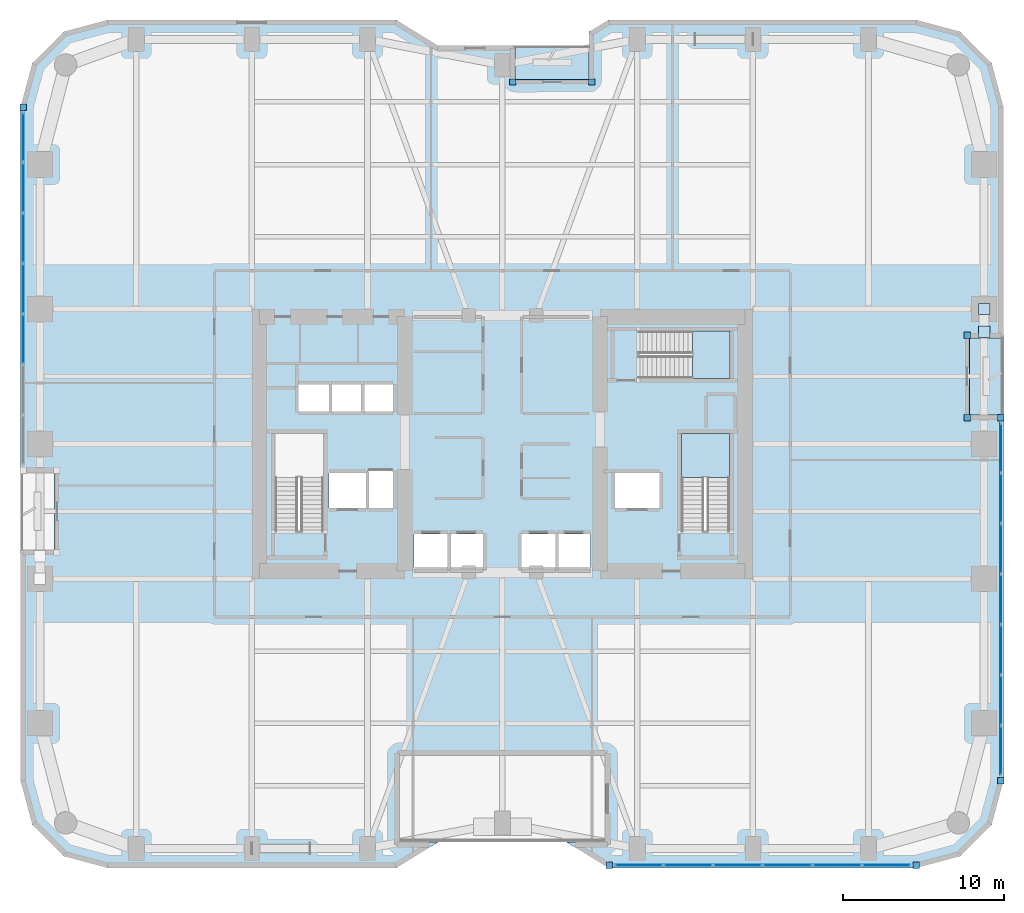
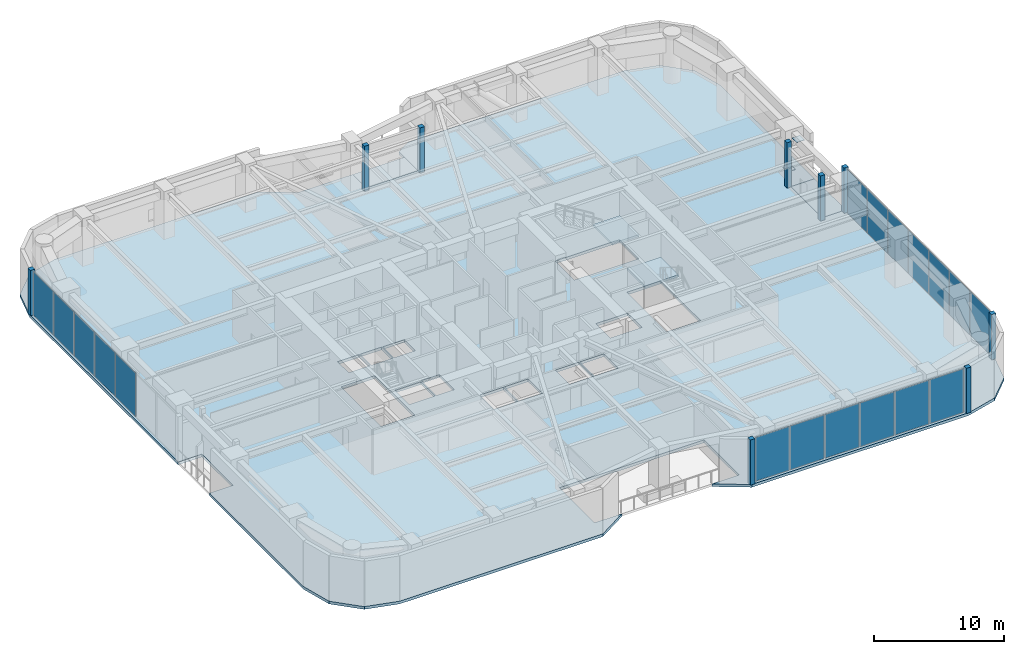
# One storey, part 15 of 25: 29 plates, 5 slabs, 5 elements without a shape of their own.
"""IFC4 building model written with IfcOpenShell, lengths in metres."""

from ifc_helpers import new_model, si_unit, direction, frame, origin, origin_2d, place, context, subcontext, project, spatial, polyline, rectangle, outline, extrude, material, layer, layer_set, type_object, element, aggregate, save


model = new_model("IFC4")

# Units and contexts
model_context = context("Model", 3, precision=1e-05, world=origin(), true_north=direction((0.0, 1.0)))
body_context = subcontext(model_context, "Body", "Model", "MODEL_VIEW")
ifc_project = project(units=[si_unit("LENGTHUNIT", "METRE"), si_unit("AREAUNIT", "SQUARE_METRE"), si_unit("VOLUMEUNIT", "CUBIC_METRE"), si_unit("PLANEANGLEUNIT", "RADIAN"), si_unit("MASSUNIT", "GRAM", prefix="KILO")], contexts=[model_context])

# Site, building, storey
site_placement = place(None, origin())
site = spatial("IfcSite", under=ifc_project, at=site_placement, CompositionType="ELEMENT")
building_placement = place(site_placement, origin())
building = spatial("IfcBuilding", under=site, at=building_placement, Name="Kiyonajd Concourse Tower", CompositionType="ELEMENT")
storey_placement = place(building_placement, frame((0.0, 0.0, 68.39990234375)))
storey = spatial("IfcBuildingStorey", under=building, at=storey_placement, Name="L18", CompositionType="ELEMENT", Elevation=68.39990234375)

# Plates
ifc_material_1 = material(Name="Steel ASTM A572 Grade 50", Category="steel")
ifc_layer_1 = layer(ifc_material_1, 0.028076171875)
ifc_layer_set_1 = layer_set([ifc_layer_1], Name="Steel ASTM A572 Grade 50")
plate_type_1 = type_object("IfcPlateType", Name="PL-CAP-450", PredefinedType="USERDEFINED", material=ifc_layer_set_1)
for number, where, z_axis, x_axis, name in (
    (1, (78.0, 44.404052734375, 0.27587890625), (0.0, 0.0, 1.0), (1.0, 0.0, 0.0), "L18 Hollow Brace End Cap Plate PBE"),
    (2, (78.0, 42.99609375, 3.88623046875), (0.0, 0.0, 1.0), (1.0, 0.0, 0.0), "L18 Hollow Brace Top Cap Plate PBE"),
):
    element("IfcPlate", number, at=place(storey_placement, frame(where, z_axis=z_axis, x_axis=x_axis)), inside=storey, type_object=plate_type_1, Name=name, ObjectType="CAP PLATE", PredefinedType="USERDEFINED", context=body_context, shape_type="SweptSolid", body=[
        extrude(rectangle(XDim=0.7099609375, YDim=0.7099609375, at=origin_2d()), origin(), (0.0, 0.0, 1.0), 0.028076171875),
    ])

# Curtain wall, plates
ifc_material_2 = material(Name="Thermally Broken Anodised Aluminium", Category="aluminium")
ifc_layer_2 = layer(ifc_material_2, 0.179931640625)
ifc_layer_set_2 = layer_set([ifc_layer_2], Name="Thermally Broken Anodised Aluminium")
curtain_wall_type = type_object("IfcCurtainWallType", Name="CW-SYS-05", PredefinedType="NOTDEFINED", material=ifc_layer_set_2)
curtain_wall_1_placement = place(storey_placement, origin())
curtain_wall_1 = element("IfcCurtainWall", 3, at=curtain_wall_1_placement, inside=storey, type_object=curtain_wall_type, Name="L18 Unitised Curtain Wall CW5", PredefinedType="NOTDEFINED")
ifc_material_3 = material(Name="Double Low-E Insulated Glass", Category="glass")
ifc_layer_3 = layer(ifc_material_3, 0.0400390625)
ifc_layer_set_3 = layer_set([ifc_layer_3], Name="Double Low-E Insulated Glass")
plate_type_2 = type_object("IfcPlateType", Name="PL-CW-VIS40", PredefinedType="CURTAIN_PANEL", material=ifc_layer_set_3)
plate_1_placement = place(storey_placement, frame((79.0400390625, 35.757080078125, 0.0751953125), z_axis=(0.0, 0.0, 1.0), x_axis=(0.0, -1.0, 0.0)))
plate_1 = element("IfcPlate", 4, at=plate_1_placement, type_object=plate_type_2, Name="CW5 panel 1.1", PredefinedType="CURTAIN_PANEL", context=body_context, shape_type="SweptSolid", body=[
    extrude(rectangle(XDim=3.035888671875, YDim=0.0400390625, at=origin_2d()), origin(), (0.0, 0.0, 1.0), 4.090087890625),
])
plate_2_placement = place(storey_placement, frame((79.0400390625, 32.62744140625, 0.0751953125), z_axis=(0.0, 0.0, 1.0), x_axis=(0.0, -1.0, 0.0)))
plate_2 = element("IfcPlate", 5, at=plate_2_placement, type_object=plate_type_2, Name="CW5 panel 2.1", PredefinedType="CURTAIN_PANEL", context=body_context, shape_type="SweptSolid", body=[
    extrude(rectangle(XDim=3.073486328125, YDim=0.0400390625, at=origin_2d()), origin(), (0.0, 0.0, 1.0), 4.090087890625),
])
plate_3_placement = place(storey_placement, frame((79.0400390625, 29.47900390625, 0.0751953125), z_axis=(0.0, 0.0, 1.0), x_axis=(0.0, -1.0, 0.0)))
plate_3 = element("IfcPlate", 6, at=plate_3_placement, type_object=plate_type_2, Name="CW5 panel 3.1", PredefinedType="CURTAIN_PANEL", context=body_context, shape_type="SweptSolid", body=[
    extrude(rectangle(XDim=3.073486328125, YDim=0.0400390625, at=origin_2d()), origin(), (0.0, 0.0, 1.0), 4.090087890625),
])
plate_4_placement = place(storey_placement, frame((79.0400390625, 26.33056640625, 0.0751953125), z_axis=(0.0, 0.0, 1.0), x_axis=(0.0, -1.0, 0.0)))
plate_4 = element("IfcPlate", 7, at=plate_4_placement, type_object=plate_type_2, Name="CW5 panel 4.1", PredefinedType="CURTAIN_PANEL", context=body_context, shape_type="SweptSolid", body=[
    extrude(rectangle(XDim=3.073486328125, YDim=0.0400390625, at=origin_2d()), origin(), (0.0, 0.0, 1.0), 4.090087890625),
])
plate_5_placement = place(storey_placement, frame((79.0400390625, 23.18212890625, 0.0751953125), z_axis=(0.0, 0.0, 1.0), x_axis=(0.0, -1.0, 0.0)))
plate_5 = element("IfcPlate", 8, at=plate_5_placement, type_object=plate_type_2, Name="CW5 panel 5.1", PredefinedType="CURTAIN_PANEL", context=body_context, shape_type="SweptSolid", body=[
    extrude(rectangle(XDim=3.073486328125, YDim=0.0400390625, at=origin_2d()), origin(), (0.0, 0.0, 1.0), 4.090087890625),
])
plate_6_placement = place(storey_placement, frame((79.0400390625, 20.03369140625, 0.0751953125), z_axis=(0.0, 0.0, 1.0), x_axis=(0.0, -1.0, 0.0)))
plate_6 = element("IfcPlate", 9, at=plate_6_placement, type_object=plate_type_2, Name="CW5 panel 6.1", PredefinedType="CURTAIN_PANEL", context=body_context, shape_type="SweptSolid", body=[
    extrude(rectangle(XDim=3.073486328125, YDim=0.0400390625, at=origin_2d()), origin(), (0.0, 0.0, 1.0), 4.090087890625),
])
plate_7_placement = place(storey_placement, frame((79.0400390625, 16.904052734375, 0.0751953125), z_axis=(0.0, 0.0, 1.0), x_axis=(0.0, -1.0, 0.0)))
plate_7 = element("IfcPlate", 10, at=plate_7_placement, type_object=plate_type_2, Name="CW5 panel 7.1", PredefinedType="CURTAIN_PANEL", context=body_context, shape_type="SweptSolid", body=[
    extrude(rectangle(XDim=3.035888671875, YDim=0.0400390625, at=origin_2d()), origin(), (0.0, 0.0, 1.0), 4.090087890625),
])
aggregate(curtain_wall_1, [plate_1, plate_2, plate_3, plate_4, plate_5, plate_6, plate_7])

curtain_wall_2_placement = place(storey_placement, origin())
curtain_wall_2 = element("IfcCurtainWall", 11, at=curtain_wall_2_placement, inside=storey, type_object=curtain_wall_type, Name="L18 Unitised Curtain Wall CW5", PredefinedType="NOTDEFINED")
plate_8_placement = place(storey_placement, frame((71.924072265625, 9.760009765625, 0.0751953125), z_axis=(0.0, 0.0, 1.0), x_axis=(-1.0, 0.0, 0.0)))
plate_8 = element("IfcPlate", 12, at=plate_8_placement, type_object=plate_type_2, Name="CW5 panel 1.1", PredefinedType="CURTAIN_PANEL", context=body_context, shape_type="SweptSolid", body=[
    extrude(rectangle(XDim=2.979736328125, YDim=0.0400390625, at=origin_2d()), origin(), (0.0, 0.0, 1.0), 4.090087890625),
])
plate_9_placement = place(storey_placement, frame((68.8505859375, 9.760009765625, 0.0751953125), z_axis=(0.0, 0.0, 1.0), x_axis=(-1.0, 0.0, 0.0)))
plate_9 = element("IfcPlate", 13, at=plate_9_placement, type_object=plate_type_2, Name="CW5 panel 2.1", PredefinedType="CURTAIN_PANEL", context=body_context, shape_type="SweptSolid", body=[
    extrude(rectangle(XDim=3.017333984375, YDim=0.0400390625, at=origin_2d()), origin(), (0.0, 0.0, 1.0), 4.090087890625),
])
plate_10_placement = place(storey_placement, frame((65.75830078125, 9.760009765625, 0.0751953125), z_axis=(0.0, 0.0, 1.0), x_axis=(-1.0, 0.0, 0.0)))
plate_10 = element("IfcPlate", 14, at=plate_10_placement, type_object=plate_type_2, Name="CW5 panel 3.1", PredefinedType="CURTAIN_PANEL", context=body_context, shape_type="SweptSolid", body=[
    extrude(rectangle(XDim=3.017333984375, YDim=0.0400390625, at=origin_2d()), origin(), (0.0, 0.0, 1.0), 4.090087890625),
])
plate_11_placement = place(storey_placement, frame((62.666015625, 9.760009765625, 0.0751953125), z_axis=(0.0, 0.0, 1.0), x_axis=(-1.0, 0.0, 0.0)))
plate_11 = element("IfcPlate", 15, at=plate_11_placement, type_object=plate_type_2, Name="CW5 panel 4.1", PredefinedType="CURTAIN_PANEL", context=body_context, shape_type="SweptSolid", body=[
    extrude(rectangle(XDim=3.017333984375, YDim=0.0400390625, at=origin_2d()), origin(), (0.0, 0.0, 1.0), 4.090087890625),
])
plate_12_placement = place(storey_placement, frame((59.57373046875, 9.760009765625, 0.0751953125), z_axis=(0.0, 0.0, 1.0), x_axis=(-1.0, 0.0, 0.0)))
plate_12 = element("IfcPlate", 16, at=plate_12_placement, type_object=plate_type_2, Name="CW5 panel 5.1", PredefinedType="CURTAIN_PANEL", context=body_context, shape_type="SweptSolid", body=[
    extrude(rectangle(XDim=3.017333984375, YDim=0.0400390625, at=origin_2d()), origin(), (0.0, 0.0, 1.0), 4.090087890625),
])
plate_13_placement = place(storey_placement, frame((56.500244140625, 9.760009765625, 0.0751953125), z_axis=(0.0, 0.0, 1.0), x_axis=(-1.0, 0.0, 0.0)))
plate_13 = element("IfcPlate", 17, at=plate_13_placement, type_object=plate_type_2, Name="CW5 panel 6.1", PredefinedType="CURTAIN_PANEL", context=body_context, shape_type="SweptSolid", body=[
    extrude(rectangle(XDim=2.979736328125, YDim=0.0400390625, at=origin_2d()), origin(), (0.0, 0.0, 1.0), 4.090087890625),
])
aggregate(curtain_wall_2, [plate_8, plate_9, plate_10, plate_11, plate_12, plate_13])

curtain_wall_3_placement = place(storey_placement, origin())
curtain_wall_3 = element("IfcCurtainWall", 18, at=curtain_wall_3_placement, inside=storey, type_object=curtain_wall_type, Name="L18 Unitised Curtain Wall CW5", PredefinedType="NOTDEFINED")
plate_14_placement = place(storey_placement, frame((18.159912109375, 42.52099609375, 0.0751953125), z_axis=(0.0, 0.0, 1.0), x_axis=(0.0, 1.0, 0.0)))
plate_14 = element("IfcPlate", 19, at=plate_14_placement, type_object=plate_type_2, Name="CW5 panel 3.1", PredefinedType="CURTAIN_PANEL", context=body_context, shape_type="SweptSolid", body=[
    extrude(rectangle(XDim=3.073486328125, YDim=0.0400390625, at=origin_2d()), origin(), (0.0, 0.0, 1.0), 4.090087890625),
])
plate_15_placement = place(storey_placement, frame((18.159912109375, 45.66943359375, 0.0751953125), z_axis=(0.0, 0.0, 1.0), x_axis=(0.0, 1.0, 0.0)))
plate_15 = element("IfcPlate", 20, at=plate_15_placement, type_object=plate_type_2, Name="CW5 panel 4.1", PredefinedType="CURTAIN_PANEL", context=body_context, shape_type="SweptSolid", body=[
    extrude(rectangle(XDim=3.073486328125, YDim=0.0400390625, at=origin_2d()), origin(), (0.0, 0.0, 1.0), 4.090087890625),
])
plate_16_placement = place(storey_placement, frame((18.159912109375, 48.81787109375, 0.0751953125), z_axis=(0.0, 0.0, 1.0), x_axis=(0.0, 1.0, 0.0)))
plate_16 = element("IfcPlate", 21, at=plate_16_placement, type_object=plate_type_2, Name="CW5 panel 5.1", PredefinedType="CURTAIN_PANEL", context=body_context, shape_type="SweptSolid", body=[
    extrude(rectangle(XDim=3.073486328125, YDim=0.0400390625, at=origin_2d()), origin(), (0.0, 0.0, 1.0), 4.090087890625),
])
plate_17_placement = place(storey_placement, frame((18.159912109375, 51.96630859375, 0.0751953125), z_axis=(0.0, 0.0, 1.0), x_axis=(0.0, 1.0, 0.0)))
plate_17 = element("IfcPlate", 22, at=plate_17_placement, type_object=plate_type_2, Name="CW5 panel 6.1", PredefinedType="CURTAIN_PANEL", context=body_context, shape_type="SweptSolid", body=[
    extrude(rectangle(XDim=3.073486328125, YDim=0.0400390625, at=origin_2d()), origin(), (0.0, 0.0, 1.0), 4.090087890625),
])
plate_18_placement = place(storey_placement, frame((18.159912109375, 55.095947265625, 0.0751953125), z_axis=(0.0, 0.0, 1.0), x_axis=(0.0, 1.0, 0.0)))
plate_18 = element("IfcPlate", 23, at=plate_18_placement, type_object=plate_type_2, Name="CW5 panel 7.1", PredefinedType="CURTAIN_PANEL", context=body_context, shape_type="SweptSolid", body=[
    extrude(rectangle(XDim=3.035888671875, YDim=0.0400390625, at=origin_2d()), origin(), (0.0, 0.0, 1.0), 4.090087890625),
])
aggregate(curtain_wall_3, [plate_14, plate_15, plate_16, plate_17, plate_18])

# Plates
ifc_layer_4 = layer(ifc_material_2, 0.39990234375)
ifc_layer_set_4 = layer_set([ifc_layer_4], Name="Thermally Broken Anodised Aluminium")
plate_type_3 = type_object("IfcPlateType", Name="PL-JMB-400", PredefinedType="USERDEFINED", material=ifc_layer_set_4)
for number, where, z_axis, x_axis, name in (
    (24, (76.93994140625, 42.760009765625, 0.0), (0.0, 0.0, 1.0), (1.0, 0.0, 0.0), "L18 Facade Jamb Closure Plate 01"),
    (25, (76.93994140625, 37.639892578125, 0.0), (0.0, 0.0, 1.0), (1.0, 0.0, 0.0), "L18 Facade Jamb Closure Plate 02"),
    (26, (79.0400390625, 37.639892578125, 0.0), (0.0, 0.0, 1.0), (1.0, 0.0, 0.0), "L18 Facade Jamb Closure Plate 03"),
    (27, (79.0400390625, 15.02099609375, 0.0), (0.0, 0.0, 1.0), (1.0, 0.0, 0.0), "L18 Facade Jamb Closure Plate 04"),
    (28, (73.77880859375, 9.760009765625, 0.0), (0.0, 0.0, 1.0), (1.0, 0.0, 0.0), "L18 Facade Jamb Closure Plate 05"),
    (29, (54.645263671875, 9.760009765625, 0.0), (0.0, 0.0, 1.0), (1.0, 0.0, 0.0), "L18 Facade Jamb Closure Plate 06"),
    (30, (18.159912109375, 56.97900390625, 0.0), (0.0, 0.0, 1.0), (1.0, 0.0, 0.0), "L18 Facade Jamb Closure Plate 10"),
    (31, (48.639892578125, 58.5400390625, 0.0), (0.0, 0.0, 1.0), (1.0, 0.0, 0.0), "L18 Facade Jamb Closure Plate 11"),
    (32, (53.56005859375, 58.5400390625, 0.0), (0.0, 0.0, 1.0), (1.0, 0.0, 0.0), "L18 Facade Jamb Closure Plate 12"),
):
    element("IfcPlate", number, at=place(storey_placement, frame(where, z_axis=z_axis, x_axis=x_axis)), inside=storey, type_object=plate_type_3, Name=name, ObjectType="JAMB PLATE", PredefinedType="USERDEFINED", context=body_context, shape_type="SweptSolid", body=[
        extrude(rectangle(XDim=0.39990234375, YDim=0.39990234375, at=origin_2d()), origin(), (0.0, 0.0, 1.0), 4.239990234375),
    ])

# Stair, slab
ifc_material_4 = material(Name="Concrete C40/50", Category="concrete")
stair_type = type_object("IfcStairType", Name="ST-DLG-26R", PredefinedType="HALF_TURN_STAIR", material=ifc_material_4)
stair_1_placement = place(storey_placement, origin())
stair_1 = element("IfcStair", 33, at=stair_1_placement, inside=storey, type_object=stair_type, Name="L18 Protected Exit Stair ST2", PredefinedType="HALF_TURN_STAIR")
ifc_layer_5 = layer(ifc_material_4, 0.199951171875)
ifc_layer_set_5 = layer_set([ifc_layer_5], Name="Concrete C40/50")
slab_type_1 = type_object("IfcSlabType", Name="SL-LND-200", PredefinedType="LANDING", material=ifc_layer_set_5)
slab_1_placement = place(storey_placement, frame((0.0, 0.0, 2.050048828125)))
slab_1 = element("IfcSlab", 34, at=slab_1_placement, type_object=slab_type_1, Name="ST2 landing 1", PredefinedType="LANDING", context=body_context, shape_type="SweptSolid", body=[
    extrude(outline(polyline([(62.14990234375, 33.909912109375), (62.14990234375, 36.64990234375), (59.14990234375, 36.64990234375), (59.14990234375, 33.909912109375), (62.14990234375, 33.909912109375)])), origin(), (0.0, 0.0, 1.0), 0.199951171875),
])
aggregate(stair_1, [slab_1])

stair_2_placement = place(storey_placement, origin())
stair_2 = element("IfcStair", 35, at=stair_2_placement, inside=storey, type_object=stair_type, Name="L18 Protected Exit Stair ST3", PredefinedType="HALF_TURN_STAIR")
slab_2_placement = place(storey_placement, frame((0.0, 0.0, 2.050048828125)))
slab_2 = element("IfcSlab", 36, at=slab_2_placement, type_object=slab_type_1, Name="ST3 landing 1", PredefinedType="LANDING", context=body_context, shape_type="SweptSolid", body=[
    extrude(outline(polyline([(59.840087890625, 40.080078125), (62.179931640625, 40.080078125), (62.179931640625, 43.02001953125), (59.840087890625, 43.02001953125), (59.840087890625, 40.080078125)])), origin(), (0.0, 0.0, 1.0), 0.199951171875),
])
aggregate(stair_2, [slab_2])

# Slabs
ifc_material_5 = material(Name="Precast concrete C50/60", Category="concrete")
ifc_layer_6 = layer(ifc_material_5, 0.199951171875)
ifc_layer_set_6 = layer_set([ifc_layer_6], Name="Precast concrete C50/60")
slab_type_2 = type_object("IfcSlabType", Name="SL-LOG-200", PredefinedType="FLOOR", material=ifc_layer_set_6)
slab_3_placement = place(storey_placement, frame((0.0, 0.0, -0.199951171875)))
element("IfcSlab", 37, at=slab_3_placement, inside=storey, type_object=slab_type_2, Name="L18 Recessed Engawa Loggia Terrace Slab LOG-N", PredefinedType="FLOOR", context=body_context, shape_type="SweptSolid", body=[
    extrude(outline(polyline([(48.800048828125, 58.699951171875), (53.39990234375, 58.699951171875), (53.39990234375, 60.800048828125), (48.800048828125, 60.800048828125), (48.800048828125, 58.699951171875)])), origin(), (0.0, 0.0, 1.0), 0.199951171875),
])
slab_4_placement = place(storey_placement, frame((0.0, 0.0, -0.199951171875)))
element("IfcSlab", 38, at=slab_4_placement, inside=storey, type_object=slab_type_2, Name="L18 Recessed Engawa Loggia Terrace Slab LOG-E", PredefinedType="FLOOR", context=body_context, shape_type="SweptSolid", body=[
    extrude(outline(polyline([(77.10009765625, 37.800048828125), (79.199951171875, 37.800048828125), (79.199951171875, 42.60009765625), (77.10009765625, 42.60009765625), (77.10009765625, 37.800048828125)])), origin(), (0.0, 0.0, 1.0), 0.199951171875),
])
ifc_layer_7 = layer(ifc_material_4, 0.260009765625)
ifc_layer_set_7 = layer_set([ifc_layer_7], Name="Concrete C40/50")
slab_type_3 = type_object("IfcSlabType", Name="SL-TWR-260", PredefinedType="FLOOR", material=ifc_layer_set_7)
slab_5_placement = place(storey_placement, frame((0.0, 0.0, -0.260009765625)))
element("IfcSlab", 39, at=slab_5_placement, inside=storey, type_object=slab_type_3, Name="L18 Tower Conditioned Floor Slab", PredefinedType="FLOOR", context=body_context, shape_type="SweptSolid", body=[
    extrude(outline(polyline([(78.47705078125, 59.699951171875), (79.199951171875, 57.0), (79.199951171875, 42.60009765625), (77.10009765625, 42.60009765625), (77.10009765625, 37.800048828125), (79.199951171875, 37.800048828125), (79.199951171875, 15.0), (78.47705078125, 12.300048828125), (76.5, 10.322998046875), (73.800048828125, 9.60009765625), (54.60009765625, 9.60009765625), (52.0, 11.199951171875), (54.39990234375, 11.199951171875), (54.39990234375, 16.60009765625), (41.60009765625, 16.60009765625), (41.60009765625, 11.199951171875), (44.0, 11.199951171875), (41.39990234375, 9.60009765625), (23.39990234375, 9.60009765625), (20.699951171875, 10.322998046875), (18.722900390625, 12.300048828125), (18.0, 15.0), (18.0, 29.39990234375), (20.10009765625, 29.39990234375), (20.10009765625, 34.199951171875), (18.0, 34.199951171875), (18.0, 57.0), (18.722900390625, 59.699951171875), (20.699951171875, 61.677001953125), (23.39990234375, 62.39990234375), (41.39990234375, 62.39990234375), (44.0, 60.800048828125), (48.800048828125, 60.800048828125), (48.800048828125, 58.699951171875), (53.39990234375, 58.699951171875), (53.39990234375, 61.662109375), (54.60009765625, 62.39990234375), (73.800048828125, 62.39990234375), (76.5, 61.677001953125), (78.47705078125, 59.699951171875)]), holes=[polyline([(44.60009765625, 28.199951171875), (42.5, 28.199951171875), (42.5, 30.39990234375), (44.60009765625, 30.39990234375), (44.60009765625, 28.199951171875)]), polyline([(37.199951171875, 32.0), (37.199951171875, 34.199951171875), (39.5, 34.199951171875), (39.5, 32.0), (37.199951171875, 32.0)]), polyline([(39.60009765625, 32.0), (39.60009765625, 34.300048828125), (41.199951171875, 34.300048828125), (41.199951171875, 32.0), (39.60009765625, 32.0)]), polyline([(36.85009765625, 30.550048828125), (33.85009765625, 30.550048828125), (33.85009765625, 36.64990234375), (36.85009765625, 36.64990234375), (36.85009765625, 30.550048828125)]), polyline([(35.300048828125, 38.0), (35.300048828125, 39.699951171875), (37.199951171875, 39.699951171875), (37.199951171875, 38.0), (35.300048828125, 38.0)]), polyline([(37.300048828125, 38.0), (37.300048828125, 39.699951171875), (39.199951171875, 39.699951171875), (39.199951171875, 38.0), (37.300048828125, 38.0)]), polyline([(41.199951171875, 38.0), (39.300048828125, 38.0), (39.300048828125, 39.699951171875), (41.199951171875, 39.699951171875), (41.199951171875, 38.0)]), polyline([(44.699951171875, 28.199951171875), (44.699951171875, 30.39990234375), (46.800048828125, 30.39990234375), (46.800048828125, 28.199951171875), (44.699951171875, 28.199951171875)]), polyline([(49.199951171875, 28.199951171875), (49.199951171875, 30.39990234375), (51.300048828125, 30.39990234375), (51.300048828125, 28.199951171875), (49.199951171875, 28.199951171875)]), polyline([(51.39990234375, 28.199951171875), (51.39990234375, 30.39990234375), (53.5, 30.39990234375), (53.5, 28.199951171875), (51.39990234375, 28.199951171875)]), polyline([(55.0, 32.0), (55.0, 34.199951171875), (57.800048828125, 34.199951171875), (57.800048828125, 32.0), (55.0, 32.0)]), polyline([(59.14990234375, 30.550048828125), (59.14990234375, 36.64990234375), (62.14990234375, 36.64990234375), (62.14990234375, 30.550048828125), (59.14990234375, 30.550048828125)]), polyline([(56.47998046875, 43.02001953125), (62.179931640625, 43.02001953125), (62.179931640625, 40.080078125), (56.47998046875, 40.080078125), (56.47998046875, 43.02001953125)])]), origin(), (0.0, 0.0, 1.0), 0.260009765625),
])

save(model, "model.ifc")
